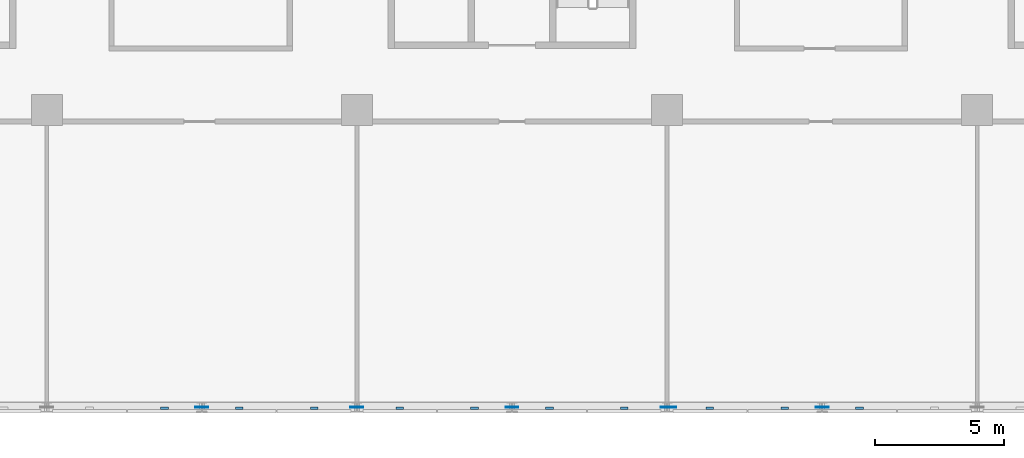
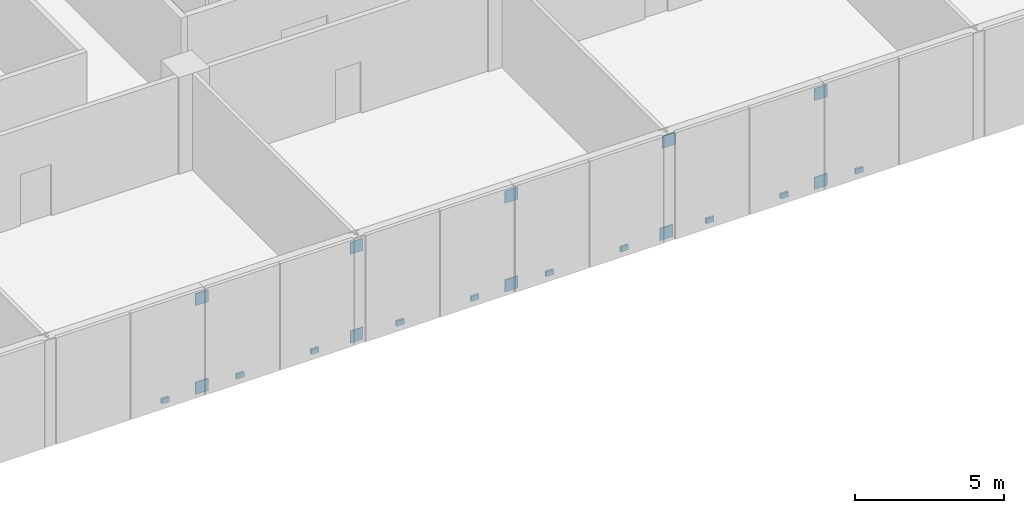
# One storey, part 15 of 26: 20 discrete accessories.
"""IFC4 building model written with IfcOpenShell, lengths in metres."""

from ifc_helpers import new_model, si_unit, direction, frame, origin, origin_2d, place, context, subcontext, project, spatial, rectangle, extrude, material, layer, layer_set, type_object, element, save


model = new_model("IFC4")

# Units and contexts
model_context = context("Model", 3, precision=1e-05, world=origin(), true_north=direction((0.0, 1.0)))
body_context = subcontext(model_context, "Body", "Model", "MODEL_VIEW")
ifc_project = project(units=[si_unit("LENGTHUNIT", "METRE"), si_unit("AREAUNIT", "SQUARE_METRE"), si_unit("VOLUMEUNIT", "CUBIC_METRE"), si_unit("PLANEANGLEUNIT", "RADIAN"), si_unit("MASSUNIT", "GRAM", prefix="KILO")], contexts=[model_context])

# Site, building, storey
site_placement = place(None, origin())
site = spatial("IfcSite", under=ifc_project, at=site_placement, CompositionType="ELEMENT")
building_placement = place(site_placement, origin())
building = spatial("IfcBuilding", under=site, at=building_placement, Name="Mahtab Terrace Research Tower", CompositionType="ELEMENT")
storey_placement = place(building_placement, frame((0.0, 0.0, 189.60009765625)))
storey = spatial("IfcBuildingStorey", under=building, at=storey_placement, Name="L45", CompositionType="ELEMENT", Elevation=189.60009765625)

# Discrete accessories
ifc_material_1 = material(Name="Black anodised aluminium", Category="aluminium")
discrete_accessory_type_1 = type_object("IfcDiscreteAccessoryType", Name="Facade bracket", PredefinedType="BRACKET", material=ifc_material_1)
for number, where, z_axis, x_axis, name in (
    (1, (-13.447998046875, -23.044921875, -0.30029296875), (0.0, 0.0, 1.0), (1.0, 0.0, 0.0), "Louvre bracket L45 81"),
    (2, (-10.552001953125, -23.044921875, -0.30029296875), (0.0, 0.0, 1.0), (1.0, 0.0, 0.0), "Louvre bracket L45 82"),
    (3, (-7.656005859375, -23.044921875, -0.30029296875), (0.0, 0.0, 1.0), (1.0, 0.0, 0.0), "Louvre bracket L45 83"),
    (4, (-4.343994140625, -23.044921875, -0.30029296875), (0.0, 0.0, 1.0), (1.0, 0.0, 0.0), "Louvre bracket L45 84"),
    (5, (-1.447998046875, -23.044921875, -0.30029296875), (0.0, 0.0, 1.0), (1.0, 0.0, 0.0), "Louvre bracket L45 85"),
    (6, (1.447998046875, -23.044921875, -0.30029296875), (0.0, 0.0, 1.0), (1.0, 0.0, 0.0), "Louvre bracket L45 86"),
    (7, (4.343994140625, -23.044921875, -0.30029296875), (0.0, 0.0, 1.0), (1.0, 0.0, 0.0), "Louvre bracket L45 87"),
    (8, (7.656005859375, -23.044921875, -0.30029296875), (0.0, 0.0, 1.0), (1.0, 0.0, 0.0), "Louvre bracket L45 88"),
    (9, (10.552001953125, -23.044921875, -0.30029296875), (0.0, 0.0, 1.0), (1.0, 0.0, 0.0), "Louvre bracket L45 89"),
    (10, (13.447998046875, -23.044921875, -0.30029296875), (0.0, 0.0, 1.0), (1.0, 0.0, 0.0), "Louvre bracket L45 90"),
):
    element("IfcDiscreteAccessory", number, at=place(storey_placement, frame(where, z_axis=z_axis, x_axis=x_axis)), inside=storey, type_object=discrete_accessory_type_1, Name=name, PredefinedType="BRACKET", context=body_context, shape_type="SweptSolid", body=[
        extrude(rectangle(XDim=0.300048828125, YDim=0.090087890625, at=origin_2d()), origin(), (0.0, 0.0, 1.0), 0.199951171875),
    ])
ifc_material_2 = material(Name="Steel ASTM A992 Gr 50", Category="steel")
ifc_layer = layer(ifc_material_2, 0.030029296875)
ifc_layer_set = layer_set([ifc_layer], Name="Gusset plate 500x500x30")
discrete_accessory_type_2 = type_object("IfcDiscreteAccessoryType", Name="Gusset plate 500x500x30", PredefinedType="USERDEFINED", material=ifc_layer_set)
for number, where, z_axis, x_axis, name in (
    (11, (-12.0, -23.0, -0.427978515625), (0.0, 0.0, 1.0), (1.0, 0.0, 0.0), "Gusset plate"),
    (12, (-12.0, -23.0, 3.20947265625), (0.0, 0.0, 1.0), (1.0, 0.0, 0.0), "Gusset plate"),
    (13, (-6.0, -23.0, -0.427978515625), (0.0, 0.0, 1.0), (1.0, 0.0, 0.0), "Gusset plate"),
    (14, (-6.0, -23.0, 3.20947265625), (0.0, 0.0, 1.0), (1.0, 0.0, 0.0), "Gusset plate"),
    (15, (0.0, -23.0, -0.427978515625), (0.0, 0.0, 1.0), (1.0, 0.0, 0.0), "Gusset plate"),
    (16, (0.0, -23.0, 3.20947265625), (0.0, 0.0, 1.0), (1.0, 0.0, 0.0), "Gusset plate"),
    (17, (6.0, -23.0, -0.427978515625), (0.0, 0.0, 1.0), (1.0, 0.0, 0.0), "Gusset plate"),
    (18, (6.100341796875, -23.0, 3.322021484375), (0.0, 0.0, 1.0), (1.0, 0.0, 0.0), "Gusset plate"),
    (19, (12.0, -23.0, -0.427978515625), (0.0, 0.0, 1.0), (1.0, 0.0, 0.0), "Gusset plate"),
    (20, (12.0, -23.0, 3.20947265625), (0.0, 0.0, 1.0), (1.0, 0.0, 0.0), "Gusset plate"),
):
    element("IfcDiscreteAccessory", number, at=place(storey_placement, frame(where, z_axis=z_axis, x_axis=x_axis)), inside=storey, type_object=discrete_accessory_type_2, Name=name, ObjectType="GUSSET PLATE", PredefinedType="USERDEFINED", context=body_context, shape_type="SweptSolid", body=[
        extrude(rectangle(XDim=0.5, YDim=0.030029296875, at=origin_2d()), origin(), (0.0, 0.0, 1.0), 0.5),
    ])

save(model, "model.ifc")
